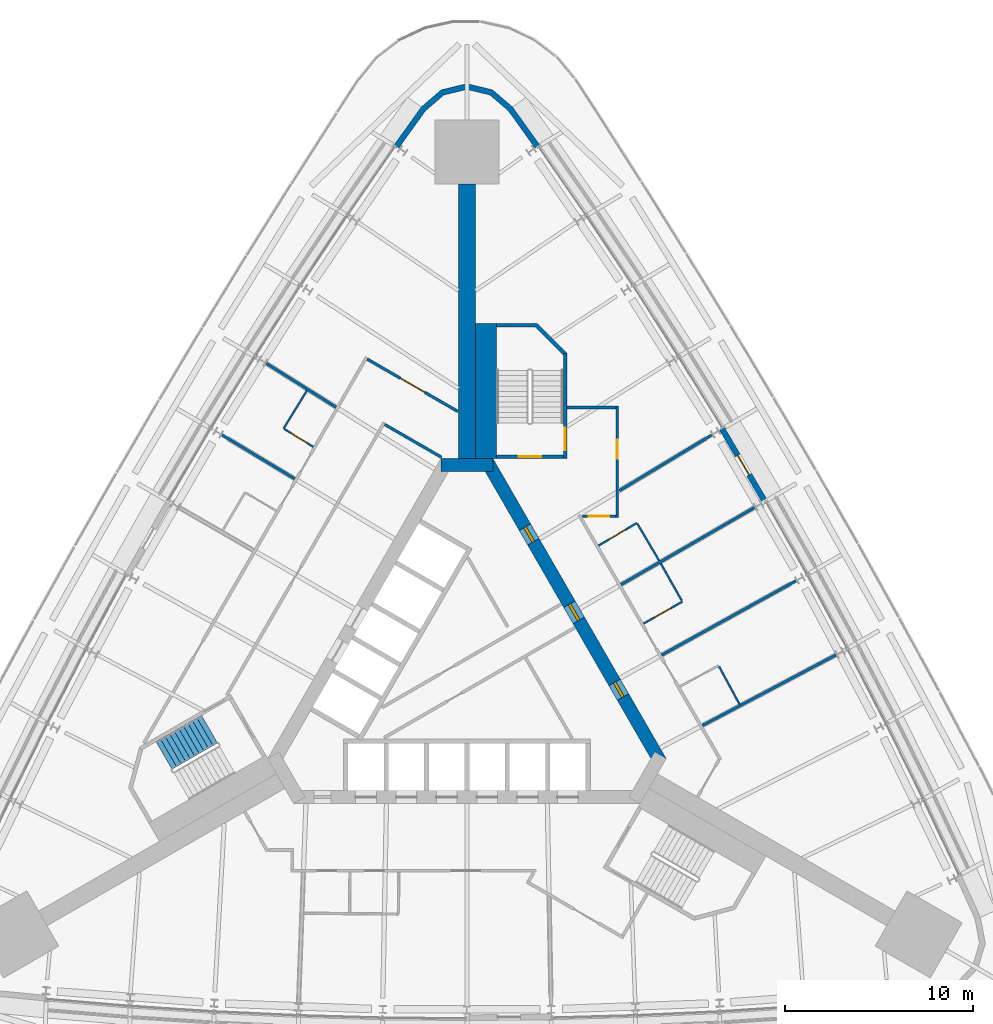
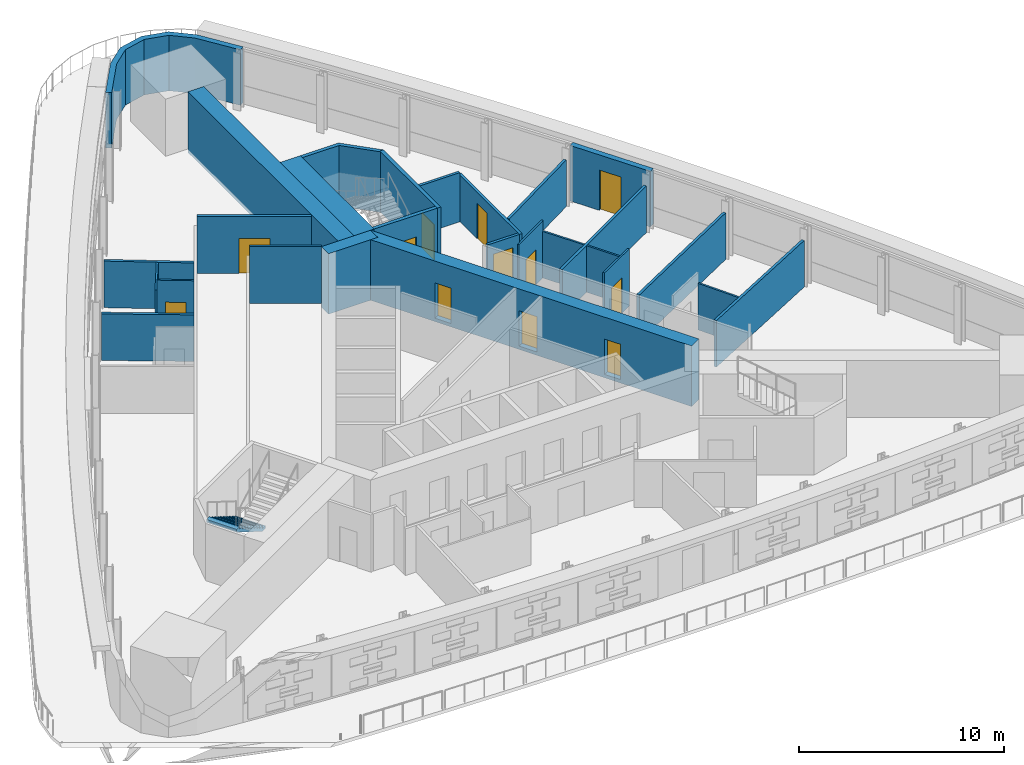
# One storey, part 9 of 14: 27 walls, 12 doors, 1 stair flight, 12 openings, 1 element without a shape of its own.
"""IFC4 building model written with IfcOpenShell, lengths in metres."""

from ifc_helpers import new_model, si_unit, direction, frame, frame_2d, origin, place, context, subcontext, project, spatial, polyline, rectangle, outline, extrude, material, layer, layer_set, type_object, element, fill, aggregate, save


model = new_model("IFC4")

# Units and contexts
model_context = context("Model", 3, precision=1e-05, world=origin(), true_north=direction((0.0, 1.0)))
body_context = subcontext(model_context, "Body", "Model", "MODEL_VIEW")
ifc_project = project(units=[si_unit("LENGTHUNIT", "METRE"), si_unit("AREAUNIT", "SQUARE_METRE"), si_unit("VOLUMEUNIT", "CUBIC_METRE"), si_unit("PLANEANGLEUNIT", "RADIAN"), si_unit("MASSUNIT", "GRAM", prefix="KILO")], contexts=[model_context])

# Site, building, storey
site_placement = place(None, origin())
site = spatial("IfcSite", under=ifc_project, at=site_placement, CompositionType="ELEMENT")
building_placement = place(site_placement, origin())
building = spatial("IfcBuilding", under=site, at=building_placement, Name="Noor Cloister Tower", CompositionType="ELEMENT")
storey_placement = place(building_placement, frame((0.0, 0.0, 24.0)))
storey = spatial("IfcBuildingStorey", under=building, at=storey_placement, Name="L05", CompositionType="ELEMENT", Elevation=24.0)

# Wall
ifc_material_1 = material(Name="Concrete C80/95", Category="concrete")
ifc_layer_1 = layer(ifc_material_1, 0.89990234375)
ifc_layer_set_1 = layer_set([ifc_layer_1], Name="Buttress wall 900 C80/95")
wall_type_1 = type_object("IfcWallType", Name="Buttress wall 900 C80/95", PredefinedType="SHEAR", material=ifc_layer_set_1)
wall_1_placement = place(storey_placement, frame((0.0, 11.456298828125, -0.199951171875), z_axis=(0.0, 0.0, 1.0), x_axis=(0.0, 1.0, 0.0)))
element("IfcWall", 1, at=wall_1_placement, inside=storey, type_object=wall_type_1, Name="Buttress wall N L05", PredefinedType="SHEAR", context=body_context, shape_type="SweptSolid", body=[
    extrude(rectangle(XDim=14.6328125, YDim=0.89990234375, at=frame_2d((7.31640625, 0.0))), origin(), (0.0, 0.0, 1.0), 3.599853515625),
])

# Wall, openings, doors
ifc_material_2 = material(Name="Concrete C80/95", Category="concrete")
ifc_layer_2 = layer(ifc_material_2, 0.699951171875)
ifc_layer_set_2 = layer_set([ifc_layer_2], Name="Core wall 700 C80/95")
wall_type_2 = type_object("IfcWallType", Name="Core wall 700 C80/95", PredefinedType="SHEAR", material=ifc_layer_set_2)
wall_2_placement = place(storey_placement, frame((10.311279296875, -4.703125, -0.199951171875), z_axis=(0.0, 0.0, 1.0), x_axis=(-0.500001446645, 0.866024568562, 0.0)))
wall_2 = element("IfcWall", 2, at=wall_2_placement, inside=storey, type_object=wall_type_2, Name="Core wall L05 3", PredefinedType="SHEAR", context=body_context, shape_type="SweptSolid", body=[
    extrude(rectangle(XDim=18.45751953125, YDim=0.699951171875, at=frame_2d((9.228759765625, 0.0))), origin(), (0.0, 0.0, 1.0), 3.599853515625),
])
opening_1_placement = place(wall_2_placement, frame((8.699951171875, 0.0, 0.199951171875)))
opening_1 = element("IfcOpeningElement", 3, at=opening_1_placement, cuts=wall_2, Name="Opening L05-901", PredefinedType="OPENING", context=body_context, shape_type="SweptSolid", body=[
    extrude(rectangle(XDim=1.0, YDim=2.10009765625, at=frame_2d((0.5, 1.050048828125))), frame((0.0, 0.35986328125, 0.0), z_axis=(0.0, -1.0, 0.0), x_axis=(1.0, 0.0, 0.0)), (0.0, 0.0, 1.0), 0.719970703125),
])
opening_2_placement = place(wall_2_placement, frame((3.989501953125, 0.0, 0.199951171875)))
opening_2 = element("IfcOpeningElement", 4, at=opening_2_placement, cuts=wall_2, Name="Opening L05-902", PredefinedType="OPENING", context=body_context, shape_type="SweptSolid", body=[
    extrude(rectangle(XDim=0.89990234375, YDim=2.10009765625, at=frame_2d((0.449951171875, 1.050048828125))), frame((0.0, 0.35986328125, 0.0), z_axis=(0.0, -1.0, 0.0), x_axis=(1.0, 0.0, 0.0)), (0.0, 0.0, 1.0), 0.719970703125),
])
opening_3_placement = place(wall_2_placement, frame((13.539306640625, 0.0, 0.199951171875)))
opening_3 = element("IfcOpeningElement", 5, at=opening_3_placement, cuts=wall_2, Name="Opening L05-903", PredefinedType="OPENING", context=body_context, shape_type="SweptSolid", body=[
    extrude(rectangle(XDim=0.89990234375, YDim=2.10009765625, at=frame_2d((0.449951171875, 1.050048828125))), frame((0.0, 0.35986328125, 0.0), z_axis=(0.0, -1.0, 0.0), x_axis=(1.0, 0.0, 0.0)), (0.0, 0.0, 1.0), 0.719970703125),
])
ifc_material_3 = material(Name="Steel", Category="steel")
door_type_1 = type_object("IfcDoorType", Name="Core door 1000 x 2100 FD120", OperationType="SINGLE_SWING_LEFT", PredefinedType="DOOR", material=ifc_material_3)
door_1_placement = place(opening_1_placement, origin())
door_1 = element("IfcDoor", 6, at=door_1_placement, inside=storey, type_object=door_type_1, Name="Core door 1 L05", OperationType="SINGLE_SWING_LEFT", OverallHeight=2.10009765625, OverallWidth=1.0, PredefinedType="DOOR", context=body_context, shape_type="SweptSolid", body=[
    extrude(rectangle(XDim=1.0, YDim=2.10009765625, at=frame_2d((0.5, 1.050048828125))), frame((0.0, 0.074951171875, 0.0), z_axis=(0.0, -1.0, 0.0), x_axis=(1.0, 0.0, 0.0)), (0.0, 0.0, 1.0), 0.14990234375),
])
fill(opening_1, door_1)
ifc_material_4 = material(Name="Steel", Category="steel")
door_type_2 = type_object("IfcDoorType", Name="Core door 900 x 2100 FD120", OperationType="SINGLE_SWING_LEFT", PredefinedType="DOOR", material=ifc_material_4)
door_2_placement = place(opening_2_placement, origin())
door_2 = element("IfcDoor", 7, at=door_2_placement, inside=storey, type_object=door_type_2, Name="Core door 2 L05", OperationType="SINGLE_SWING_RIGHT", OverallHeight=2.10009765625, OverallWidth=0.89990234375, PredefinedType="DOOR", context=body_context, shape_type="SweptSolid", body=[
    extrude(rectangle(XDim=0.89990234375, YDim=2.10009765625, at=frame_2d((0.449951171875, 1.050048828125))), frame((0.0, 0.074951171875, 0.0), z_axis=(0.0, -1.0, 0.0), x_axis=(1.0, 0.0, 0.0)), (0.0, 0.0, 1.0), 0.14990234375),
])
fill(opening_2, door_2)
door_3_placement = place(opening_3_placement, origin())
door_3 = element("IfcDoor", 8, at=door_3_placement, inside=storey, type_object=door_type_2, Name="Core door 3 L05", OperationType="SINGLE_SWING_LEFT", OverallHeight=2.10009765625, OverallWidth=0.89990234375, PredefinedType="DOOR", context=body_context, shape_type="SweptSolid", body=[
    extrude(rectangle(XDim=0.89990234375, YDim=2.10009765625, at=frame_2d((0.449951171875, 1.050048828125))), frame((0.0, 0.074951171875, 0.0), z_axis=(0.0, -1.0, 0.0), x_axis=(1.0, 0.0, 0.0)), (0.0, 0.0, 1.0), 0.14990234375),
])
fill(opening_3, door_3)

# Walls
wall_3_placement = place(storey_placement, frame((1.3857421875, 11.1064453125, -0.199951171875), z_axis=(0.0, 0.0, 1.0), x_axis=(-1.0, 0.0, 0.0)))
element("IfcWall", 9, at=wall_3_placement, inside=storey, type_object=wall_type_2, Name="Core wall L05 4", PredefinedType="SHEAR", context=body_context, shape_type="SweptSolid", body=[
    extrude(rectangle(XDim=2.771484375, YDim=0.699951171875, at=frame_2d((1.3857421875, 0.0))), origin(), (0.0, 0.0, 1.0), 3.599853515625),
])
ifc_material_5 = material(Name="Fire-rated gypsum board partition on steel studs, 150 mm", Category="steel")
ifc_layer_3 = layer(ifc_material_5, 0.14990234375)
ifc_layer_set_3 = layer_set([ifc_layer_3], Name="Fire lobby wall 150")
wall_type_3 = type_object("IfcWallType", Name="Fire lobby wall 150", PredefinedType="PARTITIONING", material=ifc_layer_set_3)
wall_4_placement = place(storey_placement, frame((-4.379150390625, 13.271484375, 0.0), z_axis=(0.0, 0.0, 1.0), x_axis=(0.866019471182, -0.500010275428, 0.0)))
element("IfcWall", 10, at=wall_4_placement, inside=storey, type_object=wall_type_3, Name="Fire lobby wall 150 L05 008", PredefinedType="PARTITIONING", context=body_context, shape_type="SweptSolid", body=[
    extrude(rectangle(XDim=3.5, YDim=0.14990234375, at=frame_2d((1.75, 0.0))), origin(), (0.0, 0.0, 1.0), 3.39990234375),
])

# Wall, opening, door
ifc_material_6 = material(Name="Gypsum board partition on steel studs, 150 mm", Category="steel")
ifc_layer_4 = layer(ifc_material_6, 0.14990234375)
ifc_layer_set_4 = layer_set([ifc_layer_4], Name="Flat wall 150")
wall_type_4 = type_object("IfcWallType", Name="Flat wall 150", PredefinedType="PARTITIONING", material=ifc_layer_set_4)
wall_5_placement = place(storey_placement, frame((8.010498046875, 14.25634765625, 0.0), z_axis=(0.0, 0.0, 1.0), x_axis=(0.0, -1.0, 0.0)))
wall_5 = element("IfcWall", 11, at=wall_5_placement, inside=storey, type_object=wall_type_4, Name="Flat wall 150 L05 005", PredefinedType="PARTITIONING", context=body_context, shape_type="SweptSolid", body=[
    extrude(rectangle(XDim=5.949951171875, YDim=0.14990234375, at=frame_2d((2.97509765625, 0.0))), origin(), (0.0, 0.0, 1.0), 2.76806640625),
])
opening_4_placement = place(wall_5_placement, frame((1.80712890625, 0.0, 0.0)))
opening_4 = element("IfcOpeningElement", 12, at=opening_4_placement, cuts=wall_5, Name="Opening L05-010", PredefinedType="OPENING", context=body_context, shape_type="SweptSolid", body=[
    extrude(rectangle(XDim=1.0, YDim=2.10009765625, at=frame_2d((0.5, 1.050048828125))), frame((0.0, 0.0849609375, 0.0), z_axis=(0.0, -1.0, 0.0), x_axis=(1.0, 0.0, 0.0)), (0.0, 0.0, 1.0), 0.169921875),
])
ifc_material_7 = material(Name="Timber door leaf with steel frame", Category="steel")
door_type_3 = type_object("IfcDoorType", Name="Interior door 1000 FD60", OperationType="NOTDEFINED", PredefinedType="DOOR", material=ifc_material_7)
door_4_placement = place(opening_4_placement, origin())
door_4 = element("IfcDoor", 13, at=door_4_placement, inside=storey, type_object=door_type_3, Name="Interior door 1000 L05-010", OperationType="SINGLE_SWING_LEFT", OverallHeight=2.10009765625, OverallWidth=1.0, PredefinedType="DOOR", context=body_context, shape_type="SweptSolid", body=[
    extrude(rectangle(XDim=1.0, YDim=2.10009765625, at=frame_2d((0.5, 1.050048828125))), frame((0.0, 0.02490234375, 0.0), z_axis=(0.0, -1.0, 0.0), x_axis=(1.0, 0.0, 0.0)), (0.0, 0.0, 1.0), 0.050048828125),
])
fill(opening_4, door_4)

wall_6_placement = place(storey_placement, frame((-5.3125, 16.754638671875, 0.0), z_axis=(0.0, 0.0, 1.0), x_axis=(0.866028693448, -0.499994302092, 0.0)))
wall_6 = element("IfcWall", 14, at=wall_6_placement, inside=storey, type_object=wall_type_4, Name="Flat wall 150 L05 007", PredefinedType="PARTITIONING", context=body_context, shape_type="SweptSolid", body=[
    extrude(rectangle(XDim=5.5712890625, YDim=0.14990234375, at=frame_2d((2.78564453125, 0.0))), origin(), (0.0, 0.0, 1.0), 3.39990234375),
])
opening_5_placement = place(wall_6_placement, frame((2.045166015625, 0.0, 0.0)))
opening_5 = element("IfcOpeningElement", 15, at=opening_5_placement, cuts=wall_6, Name="Opening L05-012", PredefinedType="OPENING", context=body_context, shape_type="SweptSolid", body=[
    extrude(rectangle(XDim=1.5, YDim=2.10009765625, at=frame_2d((0.75, 1.050048828125))), frame((0.0, 0.0849609375, 0.0), z_axis=(0.0, -1.0, 0.0), x_axis=(1.0, 0.0, 0.0)), (0.0, 0.0, 1.0), 0.169921875),
])
ifc_material_8 = material(Name="Timber door leaf with steel frame", Category="steel")
door_type_4 = type_object("IfcDoorType", Name="Double door 1500 FD60", OperationType="NOTDEFINED", PredefinedType="DOOR", material=ifc_material_8)
door_5_placement = place(opening_5_placement, origin())
door_5 = element("IfcDoor", 16, at=door_5_placement, inside=storey, type_object=door_type_4, Name="Double door 1500 L05-012", OperationType="DOUBLE_DOOR_SINGLE_SWING", OverallHeight=2.10009765625, OverallWidth=1.5, PredefinedType="DOOR", context=body_context, shape_type="SweptSolid", body=[
    extrude(rectangle(XDim=1.5, YDim=2.10009765625, at=frame_2d((0.75, 1.050048828125))), frame((0.0, 0.02490234375, 0.0), z_axis=(0.0, -1.0, 0.0), x_axis=(1.0, 0.0, 0.0)), (0.0, 0.0, 1.0), 0.050048828125),
])
fill(opening_5, door_5)

# Wall
wall_7_placement = place(storey_placement, frame((5.335693359375, 14.181396484375, 0.0), z_axis=(0.0, 0.0, 1.0), x_axis=(1.0, 0.0, 0.0)))
element("IfcWall", 17, at=wall_7_placement, inside=storey, type_object=wall_type_4, Name="Flat wall 150 L05 009", PredefinedType="PARTITIONING", context=body_context, shape_type="SweptSolid", body=[
    extrude(rectangle(XDim=2.599853515625, YDim=0.14990234375, at=frame_2d((1.2998046875, 0.0))), origin(), (0.0, 0.0, 1.0), 2.923095703125),
])

# Wall, opening, door
wall_8_placement = place(storey_placement, frame((7.935546875, 8.38134765625, 0.0), z_axis=(0.0, 0.0, 1.0), x_axis=(-1.0, 0.0, 0.0)))
wall_8 = element("IfcWall", 18, at=wall_8_placement, inside=storey, type_object=wall_type_4, Name="Flat wall 150 L05 013", PredefinedType="PARTITIONING", context=body_context, shape_type="SweptSolid", body=[
    extrude(rectangle(XDim=1.786865234375, YDim=0.14990234375, at=frame_2d((0.8935546875, 0.0))), origin(), (0.0, 0.0, 1.0), 2.76806640625),
])
opening_6_placement = place(wall_8_placement, frame((0.352783203125, 0.0, 0.0)))
opening_6 = element("IfcOpeningElement", 19, at=opening_6_placement, cuts=wall_8, Name="Opening L05-015", PredefinedType="OPENING", context=body_context, shape_type="SweptSolid", body=[
    extrude(rectangle(XDim=1.10009765625, YDim=2.10009765625, at=frame_2d((0.550048828125, 1.050048828125))), frame((0.0, 0.0849609375, 0.0), z_axis=(0.0, -1.0, 0.0), x_axis=(1.0, 0.0, 0.0)), (0.0, 0.0, 1.0), 0.169921875),
])
ifc_material_9 = material(Name="Timber door leaf with steel frame", Category="steel")
door_type_5 = type_object("IfcDoorType", Name="Resident room door 1100", OperationType="NOTDEFINED", PredefinedType="DOOR", material=ifc_material_9)
door_6_placement = place(opening_6_placement, origin())
door_6 = element("IfcDoor", 20, at=door_6_placement, inside=storey, type_object=door_type_5, Name="Resident room door 1100 L05-015", OperationType="SINGLE_SWING_RIGHT", OverallHeight=2.10009765625, OverallWidth=1.10009765625, PredefinedType="DOOR", context=body_context, shape_type="SweptSolid", body=[
    extrude(rectangle(XDim=1.10009765625, YDim=2.10009765625, at=frame_2d((0.550048828125, 1.050048828125))), frame((0.0, 0.02490234375, 0.0), z_axis=(0.0, -1.0, 0.0), x_axis=(1.0, 0.0, 0.0)), (0.0, 0.0, 1.0), 0.050048828125),
])
fill(opening_6, door_6)

# Walls
wall_9_placement = place(storey_placement, frame((15.31396484375, 8.841552734375, 0.0), z_axis=(0.0, 0.0, 1.0), x_axis=(-0.866015124653, -0.500017803555, 0.0)))
element("IfcWall", 21, at=wall_9_placement, inside=storey, type_object=wall_type_4, Name="Flat wall 150 L05 017", PredefinedType="PARTITIONING", context=body_context, shape_type="SweptSolid", body=[
    extrude(rectangle(XDim=8.204833984375, YDim=0.14990234375, at=frame_2d((4.1025390625, 0.0))), origin(), (0.0, 0.0, 1.0), 2.76806640625),
])
wall_10_placement = place(storey_placement, frame((17.5205078125, 4.936767578125, 0.0), z_axis=(0.0, 0.0, 1.0), x_axis=(-0.875148563779, -0.483854307944, 0.0)))
element("IfcWall", 22, at=wall_10_placement, inside=storey, type_object=wall_type_4, Name="Flat wall 150 L05 018", PredefinedType="PARTITIONING", context=body_context, shape_type="SweptSolid", body=[
    extrude(rectangle(XDim=8.16357421875, YDim=0.14990234375, at=frame_2d((4.081787109375, 0.0))), origin(), (0.0, 0.0, 1.0), 2.76806640625),
])
wall_11_placement = place(storey_placement, frame((19.654052734375, 0.99169921875, 0.0), z_axis=(0.0, 0.0, 1.0), x_axis=(-0.883980590433, -0.467523599124, 0.0)))
element("IfcWall", 23, at=wall_11_placement, inside=storey, type_object=wall_type_4, Name="Flat wall 150 L05 019", PredefinedType="PARTITIONING", context=body_context, shape_type="SweptSolid", body=[
    extrude(rectangle(XDim=8.041259765625, YDim=0.14990234375, at=frame_2d((4.0205078125, 0.0))), origin(), (0.0, 0.0, 1.0), 2.76806640625),
])
wall_12_placement = place(storey_placement, frame((13.03564453125, 12.704833984375, 0.0), z_axis=(0.0, 0.0, 1.0), x_axis=(-0.856612490534, -0.515960309579, 0.0)))
element("IfcWall", 24, at=wall_12_placement, inside=storey, type_object=wall_type_4, Name="Flat wall 150 L05 022", PredefinedType="PARTITIONING", context=body_context, shape_type="SweptSolid", body=[
    extrude(rectangle(XDim=5.7333984375, YDim=0.14990234375, at=frame_2d((2.86669921875, 0.0))), origin(), (0.0, 0.0, 1.0), 2.76806640625),
])
wall_13_placement = place(storey_placement, frame((-13.03564453125, 12.704833984375, 0.0), z_axis=(0.0, 0.0, 1.0), x_axis=(0.856594224171, -0.515990634719, 0.0)))
element("IfcWall", 25, at=wall_13_placement, inside=storey, type_object=wall_type_4, Name="Flat wall 150 L05 024", PredefinedType="PARTITIONING", context=body_context, shape_type="SweptSolid", body=[
    extrude(rectangle(XDim=4.512939453125, YDim=0.14990234375, at=frame_2d((2.25634765625, 0.0))), origin(), (0.0, 0.0, 1.0), 2.76806640625),
])
wall_14_placement = place(storey_placement, frame((-10.685791015625, 16.525146484375, 0.0), z_axis=(0.0, 0.0, 1.0), x_axis=(0.846871345174, -0.531797823165, 0.0)))
element("IfcWall", 26, at=wall_14_placement, inside=storey, type_object=wall_type_4, Name="Flat wall 150 L05 025", PredefinedType="PARTITIONING", context=body_context, shape_type="SweptSolid", body=[
    extrude(rectangle(XDim=4.388916015625, YDim=0.14990234375, at=frame_2d((2.1943359375, 0.0))), origin(), (0.0, 0.0, 1.0), 2.76806640625),
])
ifc_material_10 = material(Name="Limestone", Category="masonry")
ifc_layer_5 = layer(ifc_material_10, 0.300048828125)
ifc_layer_set_5 = layer_set([ifc_layer_5], Name="Limestone cladding 300")
wall_type_5 = type_object("IfcWallType", Name="Limestone cladding 300", PredefinedType="NOTDEFINED", material=ifc_layer_set_5)
wall_15_placement = place(storey_placement, origin())
element("IfcWall", 27, at=wall_15_placement, inside=storey, type_object=wall_type_5, Name="Limestone pier cladding L05 3.1", PredefinedType="NOTDEFINED", context=body_context, shape_type="SweptSolid", body=[
    extrude(outline(polyline([(3.869873046875, 28.177734375), (2.43017578125, 30.188232421875), (1.3642578125, 31.100830078125), (0.0, 31.428955078125), (-1.3642578125, 31.100830078125), (-2.43017578125, 30.188232421875), (-3.869873046875, 28.177734375), (-3.6259765625, 28.003173828125), (-2.20751953125, 29.98388671875), (-1.223876953125, 30.826171875), (0.0, 31.12060546875), (1.223876953125, 30.826171875), (2.20751953125, 29.98388671875), (3.6259765625, 28.003173828125), (3.869873046875, 28.177734375)])), origin(), (0.0, 0.0, 1.0), 3.300048828125),
])

# Wall, opening, door
ifc_material_11 = material(Name="Limestone", Category="masonry")
ifc_layer_6 = layer(ifc_material_11, 0.300048828125)
ifc_layer_set_6 = layer_set([ifc_layer_6], Name="Limestone portal wall 300")
wall_type_6 = type_object("IfcWallType", Name="Limestone portal wall 300", PredefinedType="NOTDEFINED", material=ifc_layer_set_6)
wall_16_placement = place(storey_placement, frame((13.5927734375, 13.039794921875, 0.0), z_axis=(0.0, 0.0, 1.0), x_axis=(0.507980887805, -0.861368340273, 0.0)))
wall_16 = element("IfcWall", 28, at=wall_16_placement, inside=storey, type_object=wall_type_6, Name="Terrace door bay L05 NE", PredefinedType="NOTDEFINED", context=body_context, shape_type="SweptSolid", body=[
    extrude(rectangle(XDim=4.49609375, YDim=0.300048828125, at=frame_2d((2.248046875, 0.0))), origin(), (0.0, 0.0, 1.0), 3.300048828125),
])
opening_7_placement = place(wall_16_placement, frame((1.64794921875, 0.0, 0.0)))
opening_7 = element("IfcOpeningElement", 29, at=opening_7_placement, cuts=wall_16, Name="Opening L05-X09", PredefinedType="OPENING", context=body_context, shape_type="SweptSolid", body=[
    extrude(rectangle(XDim=1.199951171875, YDim=2.39990234375, at=frame_2d((0.60009765625, 1.199951171875))), frame((0.0, 0.16015625, 0.0), z_axis=(0.0, -1.0, 0.0), x_axis=(1.0, 0.0, 0.0)), (0.0, 0.0, 1.0), 0.320068359375),
])
ifc_material_12 = material(Name="Glass and aluminium", Category="aluminium")
door_type_6 = type_object("IfcDoorType", Name="Terrace door 1200 x 2400", OperationType="SINGLE_SWING_LEFT", PredefinedType="DOOR", material=ifc_material_12)
door_7_placement = place(opening_7_placement, origin())
door_7 = element("IfcDoor", 30, at=door_7_placement, inside=storey, type_object=door_type_6, Name="Terrace door L05 NE", OperationType="SINGLE_SWING_LEFT", OverallHeight=2.39990234375, OverallWidth=1.199951171875, PredefinedType="DOOR", context=body_context, shape_type="SweptSolid", body=[
    extrude(rectangle(XDim=1.199951171875, YDim=2.39990234375, at=frame_2d((0.60009765625, 1.199951171875))), frame((0.0, 0.02490234375, 0.0), z_axis=(0.0, -1.0, 0.0), x_axis=(1.0, 0.0, 0.0)), (0.0, 0.0, 1.0), 0.050048828125),
])
fill(opening_7, door_7)

ifc_material_13 = material(Name="Gypsum board partition on steel studs, 100 mm", Category="steel")
ifc_layer_7 = layer(ifc_material_13, 0.10009765625)
ifc_layer_set_7 = layer_set([ifc_layer_7], Name="Partition 100")
wall_type_7 = type_object("IfcWallType", Name="Partition 100", PredefinedType="PARTITIONING", material=ifc_layer_set_7)
wall_17_placement = place(storey_placement, frame((9.408203125, 2.66162109375, 0.0), z_axis=(0.0, 0.0, 1.0), x_axis=(0.870608725809, 0.491976062981, 0.0)))
wall_17 = element("IfcWall", 31, at=wall_17_placement, inside=storey, type_object=wall_type_7, Name="Partition 100 L05 027", PredefinedType="PARTITIONING", context=body_context, shape_type="SweptSolid", body=[
    extrude(rectangle(XDim=2.3779296875, YDim=0.10009765625, at=frame_2d((1.18896484375, 0.0))), origin(), (0.0, 0.0, 1.0), 3.39990234375),
])
opening_8_placement = place(wall_17_placement, frame((0.677978515625, 0.0, 0.0)))
opening_8 = element("IfcOpeningElement", 32, at=opening_8_placement, cuts=wall_17, Name="Opening L05-016", PredefinedType="OPENING", context=body_context, shape_type="SweptSolid", body=[
    extrude(rectangle(XDim=1.0, YDim=2.10009765625, at=frame_2d((0.5, 1.050048828125))), frame((0.0, 0.06005859375, 0.0), z_axis=(0.0, -1.0, 0.0), x_axis=(1.0, 0.0, 0.0)), (0.0, 0.0, 1.0), 0.1201171875),
])
ifc_material_14 = material(Name="Timber door leaf with steel frame", Category="steel")
door_type_7 = type_object("IfcDoorType", Name="Interior door 1000", OperationType="NOTDEFINED", PredefinedType="DOOR", material=ifc_material_14)
door_8_placement = place(opening_8_placement, origin())
door_8 = element("IfcDoor", 33, at=door_8_placement, inside=storey, type_object=door_type_7, Name="Interior door 1000 L05-016", OperationType="SINGLE_SWING_LEFT", OverallHeight=2.10009765625, OverallWidth=1.0, PredefinedType="DOOR", context=body_context, shape_type="SweptSolid", body=[
    extrude(rectangle(XDim=1.0, YDim=2.10009765625, at=frame_2d((0.5, 1.050048828125))), frame((0.0, 0.02490234375, 0.0), z_axis=(0.0, -1.0, 0.0), x_axis=(1.0, 0.0, 0.0)), (0.0, 0.0, 1.0), 0.050048828125),
])
fill(opening_8, door_8)

wall_18_placement = place(storey_placement, frame((9.0576171875, 8.02490234375, 0.0), z_axis=(0.0, 0.0, 1.0), x_axis=(-0.861363599661, -0.507988926236, 0.0)))
wall_18 = element("IfcWall", 34, at=wall_18_placement, inside=storey, type_object=wall_type_7, Name="Partition 100 L05 028", PredefinedType="PARTITIONING", context=body_context, shape_type="SweptSolid", body=[
    extrude(rectangle(XDim=2.3779296875, YDim=0.10009765625, at=frame_2d((1.18896484375, 0.0))), origin(), (0.0, 0.0, 1.0), 3.39990234375),
])
opening_9_placement = place(wall_18_placement, frame((0.699951171875, 0.0, 0.0)))
opening_9 = element("IfcOpeningElement", 35, at=opening_9_placement, cuts=wall_18, Name="Opening L05-017", PredefinedType="OPENING", context=body_context, shape_type="SweptSolid", body=[
    extrude(rectangle(XDim=1.0, YDim=2.10009765625, at=frame_2d((0.5, 1.050048828125))), frame((0.0, 0.06005859375, 0.0), z_axis=(0.0, -1.0, 0.0), x_axis=(1.0, 0.0, 0.0)), (0.0, 0.0, 1.0), 0.1201171875),
])
door_9_placement = place(opening_9_placement, origin())
door_9 = element("IfcDoor", 36, at=door_9_placement, inside=storey, type_object=door_type_7, Name="Interior door 1000 L05-017", OperationType="SINGLE_SWING_RIGHT", OverallHeight=2.10009765625, OverallWidth=1.0, PredefinedType="DOOR", context=body_context, shape_type="SweptSolid", body=[
    extrude(rectangle(XDim=1.0, YDim=2.10009765625, at=frame_2d((0.5, 1.050048828125))), frame((0.0, 0.02490234375, 0.0), z_axis=(0.0, -1.0, 0.0), x_axis=(1.0, 0.0, 0.0)), (0.0, 0.0, 1.0), 0.050048828125),
])
fill(opening_9, door_9)

# Walls
wall_19_placement = place(storey_placement, frame((-8.523193359375, 15.078125, 0.0), z_axis=(0.0, 0.0, 1.0), x_axis=(-0.523925395227, -0.851764157638, 0.0)))
element("IfcWall", 37, at=wall_19_placement, inside=storey, type_object=wall_type_7, Name="Partition 100 L05 029", PredefinedType="PARTITIONING", context=body_context, shape_type="SweptSolid", body=[
    extrude(rectangle(XDim=2.37548828125, YDim=0.10009765625, at=frame_2d((1.187744140625, 0.0))), origin(), (0.0, 0.0, 1.0), 2.76806640625),
])
for number, where, z_axis, x_axis, name in (
    (38, (14.524169921875, -1.635986328125, 0.0), (0.0, 0.0, 1.0), (-0.475734975891, 0.879588672457, 0.0), "Partition 100 L05 032"),
    (39, (10.32470703125, 5.873779296875, 0.0), (0.0, 0.0, 1.0), (0.491941616, -0.870628190703, 0.0), "Partition 100 L05 033"),
    (40, (10.249267578125, 6.00439453125, 0.0), (0.0, 0.0, 1.0), (-0.507991089151, 0.861362324079, 0.0), "Partition 100 L05 034"),
):
    element("IfcWall", number, at=place(storey_placement, frame(where, z_axis=z_axis, x_axis=x_axis)), inside=storey, type_object=wall_type_7, Name=name, PredefinedType="PARTITIONING", context=body_context, shape_type="SweptSolid", body=[
        extrude(rectangle(XDim=2.2958984375, YDim=0.10009765625, at=frame_2d((1.14794921875, 0.0))), origin(), (0.0, 0.0, 1.0), 2.76806640625),
    ])

# Wall, opening, door
wall_20_placement = place(storey_placement, frame((-9.72509765625, 13.028564453125, 0.0), z_axis=(0.0, 0.0, 1.0), x_axis=(0.851755692017, -0.523939157839, 0.0)))
wall_20 = element("IfcWall", 41, at=wall_20_placement, inside=storey, type_object=wall_type_7, Name="Partition 100 L05 038", PredefinedType="PARTITIONING", context=body_context, shape_type="SweptSolid", body=[
    extrude(rectangle(XDim=1.8076171875, YDim=0.10009765625, at=frame_2d((0.90380859375, 0.0))), origin(), (0.0, 0.0, 1.0), 3.39990234375),
])
opening_10_placement = place(wall_20_placement, frame((0.406005859375, 0.0, 0.0)))
opening_10 = element("IfcOpeningElement", 42, at=opening_10_placement, cuts=wall_20, Name="Opening L05-020", PredefinedType="OPENING", context=body_context, shape_type="SweptSolid", body=[
    extrude(rectangle(XDim=1.0, YDim=2.10009765625, at=frame_2d((0.5, 1.050048828125))), frame((0.0, 0.06005859375, 0.0), z_axis=(0.0, -1.0, 0.0), x_axis=(1.0, 0.0, 0.0)), (0.0, 0.0, 1.0), 0.1201171875),
])
door_10_placement = place(opening_10_placement, origin())
door_10 = element("IfcDoor", 43, at=door_10_placement, inside=storey, type_object=door_type_7, Name="Interior door 1000 L05-020", OperationType="SINGLE_SWING_RIGHT", OverallHeight=2.10009765625, OverallWidth=1.0, PredefinedType="DOOR", context=body_context, shape_type="SweptSolid", body=[
    extrude(rectangle(XDim=1.0, YDim=2.10009765625, at=frame_2d((0.5, 1.050048828125))), frame((0.0, 0.02490234375, 0.0), z_axis=(0.0, -1.0, 0.0), x_axis=(1.0, 0.0, 0.0)), (0.0, 0.0, 1.0), 0.050048828125),
])
fill(opening_10, door_10)

# Wall
ifc_material_15 = material(Name="Concrete C80/95", Category="concrete")
ifc_layer_8 = layer(ifc_material_15, 1.135986328125)
ifc_layer_set_8 = layer_set([ifc_layer_8], Name="Stair enclosure wall 1136 C80/95")
wall_type_8 = type_object("IfcWallType", Name="Stair enclosure wall 1136 C80/95", PredefinedType="SHEAR", material=ifc_layer_set_8)
wall_21_placement = place(storey_placement, frame((1.017822265625, 11.456298828125, -0.199951171875), z_axis=(0.0, 0.0, 1.0), x_axis=(0.0, 1.0, 0.0)))
element("IfcWall", 44, at=wall_21_placement, inside=storey, type_object=wall_type_8, Name="Stair enclosure wall ST1 L05 riser side", PredefinedType="SHEAR", context=body_context, shape_type="SweptSolid", body=[
    extrude(rectangle(XDim=7.2001953125, YDim=1.1357421875, at=frame_2d((3.60009765625, 0.0))), origin(), (0.0, 0.0, 1.0), 3.599853515625),
])

# Wall, opening, door
ifc_material_16 = material(Name="Concrete C80/95", Category="concrete")
ifc_layer_9 = layer(ifc_material_16, 0.199951171875)
ifc_layer_set_9 = layer_set([ifc_layer_9], Name="Stair enclosure wall 200 C80/95")
wall_type_9 = type_object("IfcWallType", Name="Stair enclosure wall 200 C80/95", PredefinedType="SHEAR", material=ifc_layer_set_9)
wall_22_placement = place(storey_placement, frame((5.135498046875, 11.556396484375, -0.199951171875), z_axis=(0.0, 0.0, 1.0), x_axis=(-1.0, 0.0, 0.0)))
wall_22 = element("IfcWall", 45, at=wall_22_placement, inside=storey, type_object=wall_type_9, Name="Stair enclosure wall ST1 L05 near end", PredefinedType="SHEAR", context=body_context, shape_type="SweptSolid", body=[
    extrude(rectangle(XDim=3.5498046875, YDim=0.199951171875, at=frame_2d((1.77490234375, 0.0))), origin(), (0.0, 0.0, 1.0), 3.599853515625),
])
opening_11_placement = place(wall_22_placement, frame((1.175048828125, 0.0, 0.199951171875)))
opening_11 = element("IfcOpeningElement", 46, at=opening_11_placement, cuts=wall_22, Name="Opening L05-ST1L", PredefinedType="OPENING", context=body_context, shape_type="SweptSolid", body=[
    extrude(rectangle(XDim=1.199951171875, YDim=2.10009765625, at=frame_2d((0.60009765625, 1.050048828125))), frame((0.0, 0.10986328125, 0.0), z_axis=(0.0, -1.0, 0.0), x_axis=(1.0, 0.0, 0.0)), (0.0, 0.0, 1.0), 0.219970703125),
])
ifc_material_17 = material(Name="Steel", Category="steel")
door_type_8 = type_object("IfcDoorType", Name="Stair door 1200 x 2100 FD120", OperationType="SINGLE_SWING_LEFT", PredefinedType="DOOR", material=ifc_material_17)
door_11_placement = place(opening_11_placement, origin())
door_11 = element("IfcDoor", 47, at=door_11_placement, inside=storey, type_object=door_type_8, Name="Stair door ST1 L05", OperationType="SINGLE_SWING_RIGHT", OverallHeight=2.10009765625, OverallWidth=1.199951171875, PredefinedType="DOOR", context=body_context, shape_type="SweptSolid", body=[
    extrude(rectangle(XDim=1.199951171875, YDim=2.10009765625, at=frame_2d((0.60009765625, 1.050048828125))), frame((0.0, 0.02490234375, 0.0), z_axis=(0.0, -1.0, 0.0), x_axis=(1.0, 0.0, 0.0)), (0.0, 0.0, 1.0), 0.050048828125),
])
fill(opening_11, door_11)

wall_23_placement = place(storey_placement, frame((5.235595703125, 11.456298828125, -0.199951171875), z_axis=(0.0, 0.0, 1.0), x_axis=(0.0, 1.0, 0.0)))
wall_23 = element("IfcWall", 48, at=wall_23_placement, inside=storey, type_object=wall_type_9, Name="Stair enclosure wall ST1 L05 outer side", PredefinedType="SHEAR", context=body_context, shape_type="SweptSolid", body=[
    extrude(rectangle(XDim=5.60009765625, YDim=0.199951171875, at=frame_2d((2.800048828125, 0.0))), origin(), (0.0, 0.0, 1.0), 3.599853515625),
])
opening_12_placement = place(wall_23_placement, frame((0.449951171875, 0.0, 0.199951171875)))
opening_12 = element("IfcOpeningElement", 49, at=opening_12_placement, cuts=wall_23, Name="Opening L05-ST1C", PredefinedType="OPENING", context=body_context, shape_type="SweptSolid", body=[
    extrude(rectangle(XDim=1.199951171875, YDim=2.10009765625, at=frame_2d((0.60009765625, 1.050048828125))), frame((0.0, 0.10986328125, 0.0), z_axis=(0.0, -1.0, 0.0), x_axis=(1.0, 0.0, 0.0)), (0.0, 0.0, 1.0), 0.219970703125),
])
door_12_placement = place(opening_12_placement, origin())
door_12 = element("IfcDoor", 50, at=door_12_placement, inside=storey, type_object=door_type_8, Name="Stair door ST1 L05", OperationType="SINGLE_SWING_LEFT", OverallHeight=2.10009765625, OverallWidth=1.199951171875, PredefinedType="DOOR", context=body_context, shape_type="SweptSolid", body=[
    extrude(rectangle(XDim=1.199951171875, YDim=2.10009765625, at=frame_2d((0.60009765625, 1.050048828125))), frame((0.0, 0.02490234375, 0.0), z_axis=(0.0, -1.0, 0.0), x_axis=(1.0, 0.0, 0.0)), (0.0, 0.0, 1.0), 0.050048828125),
])
fill(opening_12, door_12)

# Wall
ifc_material_18 = material(Name="Concrete C80/95", Category="concrete")
wall_type_10 = type_object("IfcWallType", Name="Stair far end wall C80/95", PredefinedType="SHEAR", material=ifc_material_18)
wall_24_placement = place(storey_placement, frame((0.0, 0.0, -0.199951171875)))
element("IfcWall", 51, at=wall_24_placement, inside=storey, type_object=wall_type_10, Name="Stair enclosure wall ST1 L05 far end", PredefinedType="SHEAR", context=body_context, shape_type="SweptSolid", body=[
    extrude(outline(polyline([(5.335693359375, 17.056396484375), (3.735595703125, 18.656494140625), (1.585693359375, 18.656494140625), (1.585693359375, 18.456298828125), (3.65283203125, 18.456298828125), (5.135498046875, 16.9736328125), (5.135498046875, 17.056396484375), (5.135498046875, 17.056396484375), (5.135498046875, 17.056396484375), (5.135498046875, 17.056396484375), (5.135498046875, 17.056396484375), (5.135498046875, 17.056396484375), (5.135498046875, 17.056396484375), (5.135498046875, 17.056396484375), (5.135498046875, 17.056396484375), (5.135498046875, 17.056396484375), (5.135498046875, 17.056396484375), (5.135498046875, 17.056396484375), (5.135498046875, 17.056396484375), (5.135498046875, 17.056396484375), (5.135498046875, 17.056396484375), (5.135498046875, 17.056396484375), (5.135498046875, 17.056396484375), (5.335693359375, 17.056396484375)])), origin(), (0.0, 0.0, 1.0), 3.599853515625),
])

# Stair, stair flight
ifc_material_19 = material(Name="Concrete C40/50", Category="concrete")
stair_type = type_object("IfcStairType", Name="Exit stair 22 risers", PredefinedType="HALF_TURN_STAIR", material=ifc_material_19)
stair_placement = place(storey_placement, origin())
stair = element("IfcStair", 52, at=stair_placement, inside=storey, type_object=stair_type, Name="Exit stair ST2 L05", PredefinedType="HALF_TURN_STAIR")
ifc_material_20 = material(Name="Concrete C40/50", Category="concrete")
stair_flight_type = type_object("IfcStairFlightType", Name="Exit stair flight", PredefinedType="STRAIGHT", material=ifc_material_20)
stair_flight_placement = place(storey_placement, frame((-13.709716796875, -2.966796875, 0.0), z_axis=(0.0, 0.0, 1.0), x_axis=(-0.866025403784, -0.5, 0.0)))
stair_flight = element("IfcStairFlight", 53, at=stair_flight_placement, type_object=stair_flight_type, Name="ST2 flight 1", NumberOfRisers=11, NumberOfTreads=10, PredefinedType="STRAIGHT", RiserHeight=0.163636364, TreadLength=0.28, context=body_context, shape_type="SweptSolid", body=[
    extrude(outline(polyline([(0.0, 0.0), (0.0, 0.16357421875), (0.280029296875, 0.16357421875), (0.280029296875, 0.327392578125), (0.56005859375, 0.327392578125), (0.56005859375, 0.490966796875), (0.840087890625, 0.490966796875), (0.840087890625, 0.654541015625), (1.1201171875, 0.654541015625), (1.1201171875, 0.818115234375), (1.39990234375, 0.818115234375), (1.39990234375, 0.98193359375), (1.679931640625, 0.98193359375), (1.679931640625, 1.1455078125), (1.9599609375, 1.1455078125), (1.9599609375, 1.30908203125), (2.239990234375, 1.30908203125), (2.239990234375, 1.47265625), (2.52001953125, 1.47265625), (2.52001953125, 1.636474609375), (2.800048828125, 1.636474609375), (2.800048828125, 1.800048828125), (2.800048828125, 1.462646484375), (0.297119140625, 0.0), (0.0, 0.0)])), frame((0.0, 0.85009765625, 0.0), z_axis=(0.0, -1.0, 0.0), x_axis=(1.0, 0.0, 0.0)), (0.0, 0.0, 1.0), 1.699951171875),
])
aggregate(stair, [stair_flight])

save(model, "model.ifc")
